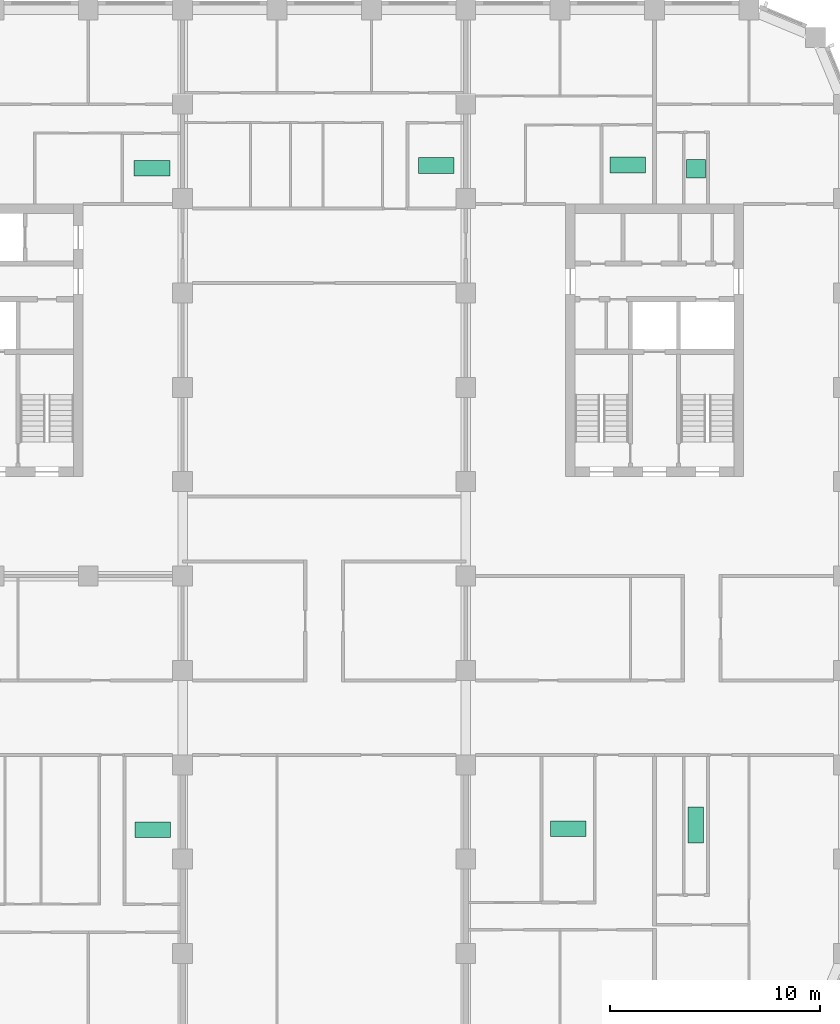
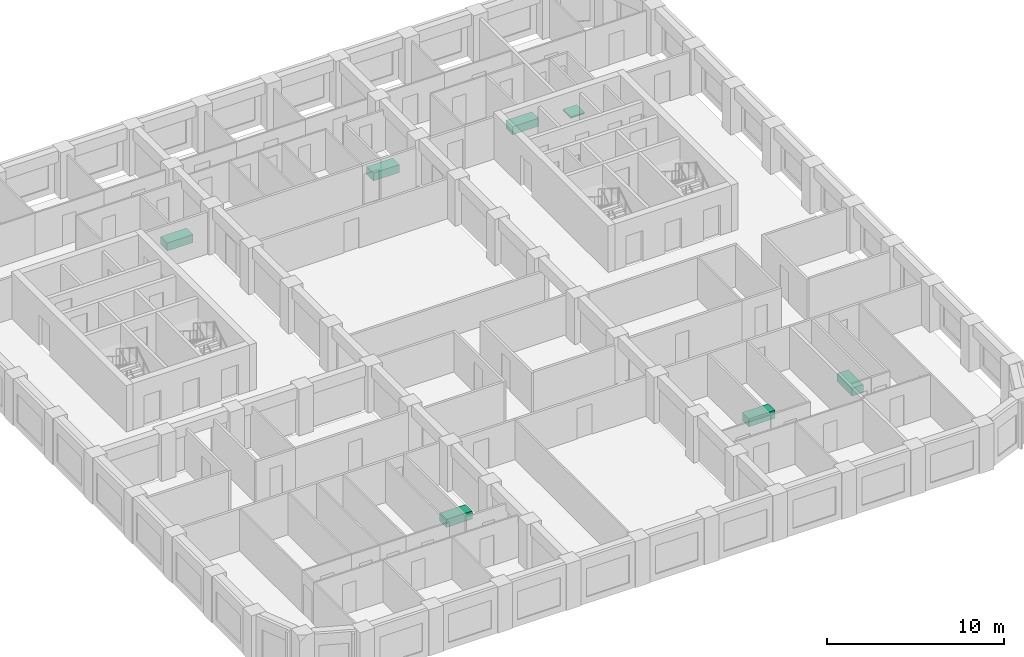
# One storey, part 13 of 13: 7 sanitary terminals.
"""IFC4 building model written with IfcOpenShell, lengths in metres."""

from ifc_helpers import new_model, si_unit, direction, frame, origin, origin_2d, place, context, subcontext, project, spatial, rectangle, extrude, material, type_object, element, save


model = new_model("IFC4")

# Units and contexts
model_context = context("Model", 3, precision=1e-05, world=origin(), true_north=direction((0.0, 1.0)))
body_context = subcontext(model_context, "Body", "Model", "MODEL_VIEW")
ifc_project = project(units=[si_unit("LENGTHUNIT", "METRE"), si_unit("AREAUNIT", "SQUARE_METRE"), si_unit("VOLUMEUNIT", "CUBIC_METRE"), si_unit("PLANEANGLEUNIT", "RADIAN"), si_unit("MASSUNIT", "GRAM", prefix="KILO")], contexts=[model_context])

# Site, building, storey
site_placement = place(None, origin())
site = spatial("IfcSite", under=ifc_project, at=site_placement, CompositionType="ELEMENT")
building_placement = place(site_placement, origin())
building = spatial("IfcBuilding", under=site, at=building_placement, Name="Girih Gate Residences", CompositionType="ELEMENT")
storey_placement = place(building_placement, frame((0.0, 0.0, 136.60009765625)))
storey = spatial("IfcBuildingStorey", under=building, at=storey_placement, Name="L38", CompositionType="ELEMENT", Elevation=136.60009765625)

# Sanitary terminals
ifc_material = material(Name="Acrylic")
sanitary_terminal_type_1 = type_object("IfcSanitaryTerminalType", Name="Bath 1700", PredefinedType="BATH", material=ifc_material)
for number, where, z_axis, x_axis, name in (
    (1, (16.5810546875, 10.408935546875, 0.0), (0.0, 0.0, 1.0), (1.0, 0.0, 0.0), "Bath 1700 L38"),
    (2, (16.541015625, 41.94091796875, 0.0), (0.0, 0.0, 1.0), (1.0, 0.0, 0.0), "Bath 1700 L38"),
):
    element("IfcSanitaryTerminal", number, at=place(storey_placement, frame(where, z_axis=z_axis, x_axis=x_axis)), inside=storey, type_object=sanitary_terminal_type_1, Name=name, PredefinedType="BATH", context=body_context, shape_type="SweptSolid", body=[
        extrude(rectangle(XDim=1.699951171875, YDim=0.75, at=origin_2d()), origin(), (0.0, 0.0, 1.0), 0.550048828125),
    ])
sanitary_terminal_1_placement = place(storey_placement, frame((42.470947265625, 10.62890625, 0.0), z_axis=(0.0, 0.0, 1.0), x_axis=(1.0, 0.0, 0.0)))
element("IfcSanitaryTerminal", 3, at=sanitary_terminal_1_placement, inside=storey, type_object=sanitary_terminal_type_1, Name="Bath 1700 L38", PredefinedType="BATH", context=body_context, shape_type="SweptSolid", body=[
    extrude(rectangle(XDim=0.75, YDim=1.699951171875, at=origin_2d()), origin(), (0.0, 0.0, 1.0), 0.550048828125),
])
for number, where, z_axis, x_axis, name in (
    (4, (36.3798828125, 10.448974609375, 0.0), (0.0, 0.0, 1.0), (1.0, 0.0, 0.0), "Bath 1700 L38"),
    (5, (39.218017578125, 42.10107421875, 0.0), (0.0, 0.0, 1.0), (1.0, 0.0, 0.0), "Bath 1700 L38"),
    (6, (30.093994140625, 42.0810546875, 0.0), (0.0, 0.0, 1.0), (1.0, 0.0, 0.0), "Bath 1700 L38"),
):
    element("IfcSanitaryTerminal", number, at=place(storey_placement, frame(where, z_axis=z_axis, x_axis=x_axis)), inside=storey, type_object=sanitary_terminal_type_1, Name=name, PredefinedType="BATH", context=body_context, shape_type="SweptSolid", body=[
        extrude(rectangle(XDim=1.699951171875, YDim=0.75, at=origin_2d()), origin(), (0.0, 0.0, 1.0), 0.550048828125),
    ])
sanitary_terminal_type_2 = type_object("IfcSanitaryTerminalType", Name="Shower tray 900", PredefinedType="SHOWER", material=ifc_material)
sanitary_terminal_2_placement = place(storey_placement, frame((42.470947265625, 41.924072265625, -0.000244140625), z_axis=(0.0, 0.0, 1.0), x_axis=(1.0, 0.0, 0.0)))
element("IfcSanitaryTerminal", 7, at=sanitary_terminal_2_placement, inside=storey, type_object=sanitary_terminal_type_2, Name="Shower tray 900 L38", PredefinedType="SHOWER", context=body_context, shape_type="SweptSolid", body=[
    extrude(rectangle(XDim=0.89990234375, YDim=0.89990234375, at=origin_2d()), origin(), (0.0, 0.0, 1.0), 0.10009765625),
])

save(model, "model.ifc")
